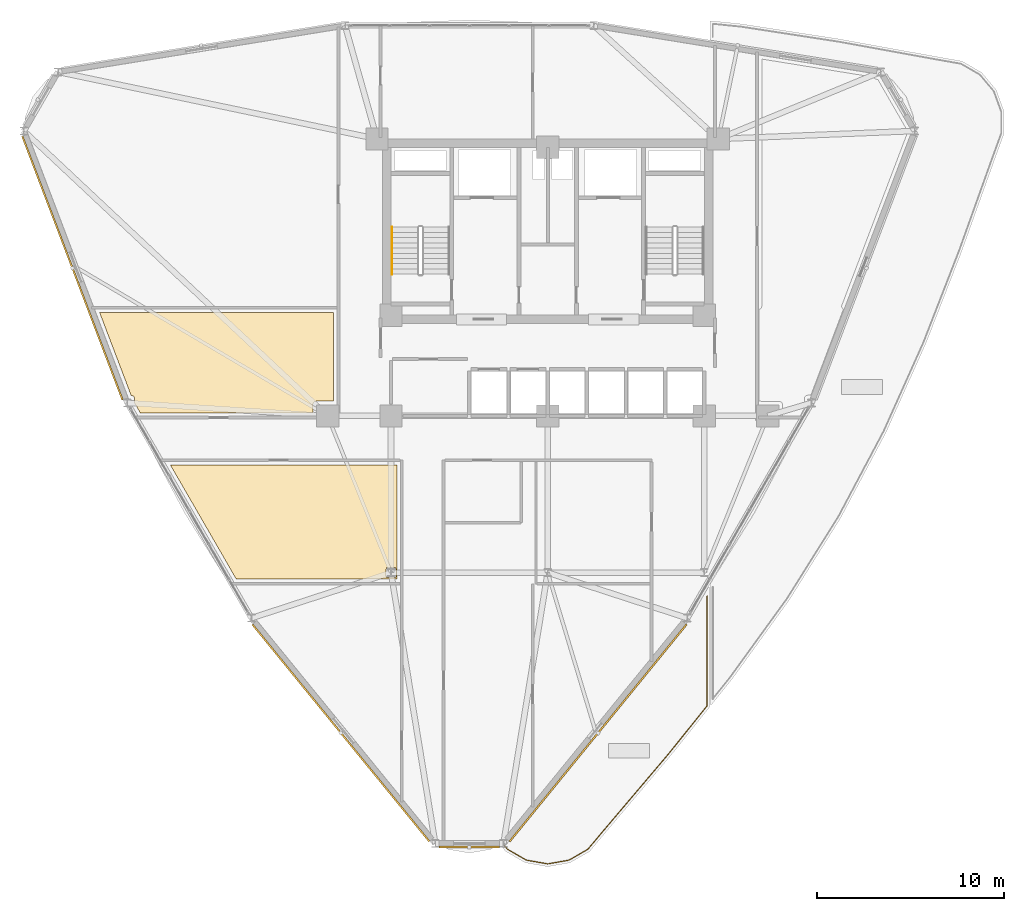
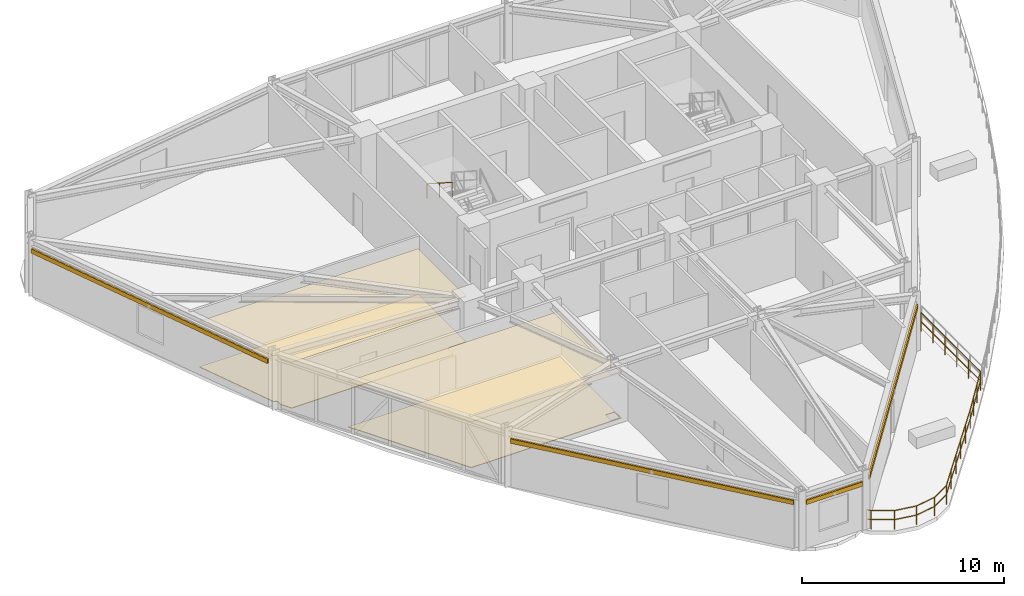
# One storey, part 15 of 18: 4 coverings, 4 shading devices, 2 railings.
"""IFC4 building model written with IfcOpenShell, lengths in metres."""

import ifcopenshell
import ifcopenshell.guid

model = None  # the IFC model being written
_history = None  # IfcOwnerHistory: only IFC2X3 demands one
_inside = {}  # id of a spatial element -> (the spatial element, [elements in it])
_under = {}  # id of a project, library or spatial element -> (it, [spatial elements below it])
_declared = {}  # id of a project -> (the project, [libraries it declares])
_typed = {}  # id of a type object -> (the type object, [elements of that type])
_made_of = {}  # id of a material, layer set ... -> (it, [elements and type objects made of it])


def new_model(schema):
    """Start an empty IFC model of exactly this schema.

    Asked for "IFC4X3", IfcOpenShell would pick the latest addendum, in which some entities
    have other attributes; the version numbers below select the first issue.
    IFC2X3 requires an IfcOwnerHistory on every rooted entity: one is made here for all.
    """
    global model, _history
    if schema == "IFC4X3":
        model = ifcopenshell.file(schema_version=(4, 3, 0, 0))
    else:
        model = ifcopenshell.file(schema=schema)
    _inside.clear()
    _under.clear()
    _declared.clear()
    _typed.clear()
    _made_of.clear()
    _history = None
    if model.schema == "IFC2X3":
        org = make("IfcOrganization", Name="unknown")
        user = make(
            "IfcPersonAndOrganization",
            ThePerson=make("IfcPerson", FamilyName="unknown"),
            TheOrganization=org,
        )
        app = make(
            "IfcApplication",
            ApplicationDeveloper=org,
            Version="unknown",
            ApplicationFullName="unknown",
            ApplicationIdentifier="unknown",
        )
        _history = make(
            "IfcOwnerHistory",
            OwningUser=user,
            OwningApplication=app,
            ChangeAction="ADDED",
            CreationDate=0,
        )
    return model


def make(cls, **values):
    """One entity of the class cls with the attributes given. An attribute that is None is left unset."""
    return model.create_entity(
        cls, **{name: value for name, value in values.items() if value is not None}
    )


def rooted(cls, **values):
    """An entity with a GlobalId (a new one), such as an element, a storey or a relation."""
    return make(cls, GlobalId=ifcopenshell.guid.new(), OwnerHistory=_history, **values)


def si_unit(unit_type, name, prefix=None):
    """IfcSIUnit, for example si_unit("LENGTHUNIT", "METRE", prefix="MILLI")."""
    return make("IfcSIUnit", UnitType=unit_type, Prefix=prefix, Name=name)


def derived_unit(unit_type, elements):
    """IfcDerivedUnit: a product of units, each with its exponent."""
    return make(
        "IfcDerivedUnit",
        Elements=[
            make("IfcDerivedUnitElement", Unit=unit, Exponent=power)
            for unit, power in elements
        ],
        UnitType=unit_type,
    )


def assignment(units):
    """IfcUnitAssignment: the units of a project."""
    return None if units is None else make("IfcUnitAssignment", Units=units)


def point(xyz):
    """IfcCartesianPoint."""
    return None if xyz is None else make("IfcCartesianPoint", Coordinates=xyz)


def direction(xyz):
    """IfcDirection."""
    return None if xyz is None else make("IfcDirection", DirectionRatios=xyz)


def frame(location, z_axis=None, x_axis=None):
    """IfcAxis2Placement3D, a coordinate frame: its origin and axes. An axis left out is left unset."""
    return make(
        "IfcAxis2Placement3D",
        Location=point(location),
        Axis=direction(z_axis),
        RefDirection=direction(x_axis),
    )


def frame_2d(location, x_axis=None):
    """IfcAxis2Placement2D, a coordinate frame in the plane: its origin and x axis."""
    return make(
        "IfcAxis2Placement2D", Location=point(location), RefDirection=direction(x_axis)
    )


def origin():
    """The frame at (0, 0, 0) with its axes left unset."""
    return frame((0.0, 0.0, 0.0))


def origin_2d():
    """The frame at (0, 0) in the plane with its x axis left unset."""
    return frame_2d((0.0, 0.0))


def place(relative_to, where):
    """IfcLocalPlacement: puts the frame where relative to a parent placement (None: the world)."""
    return make(
        "IfcLocalPlacement", PlacementRelTo=relative_to, RelativePlacement=where
    )


def context(
    kind, dimensions, precision=None, world=None, true_north=None, identifier=None
):
    """IfcGeometricRepresentationContext, for example the 3D "Model" context."""
    return make(
        "IfcGeometricRepresentationContext",
        ContextIdentifier=identifier,
        ContextType=kind,
        CoordinateSpaceDimension=dimensions,
        Precision=precision,
        WorldCoordinateSystem=world,
        TrueNorth=true_north,
    )


def subcontext(parent, identifier, kind, view, scale=None):
    """IfcGeometricRepresentationSubContext, for example "Body" below "Model"."""
    return make(
        "IfcGeometricRepresentationSubContext",
        ContextIdentifier=identifier,
        ContextType=kind,
        ParentContext=parent,
        TargetScale=scale,
        TargetView=view,
    )


def project(units=None, contexts=None):
    """IfcProject with its units and contexts."""
    return rooted(
        "IfcProject",
        Name="project",
        RepresentationContexts=contexts,
        UnitsInContext=assignment(units),
    )


def spatial(cls, under=None, at=None, **own):
    """A site, building, storey or space (cls), placed at a placement, below another one or the project."""
    s = rooted(cls, ObjectPlacement=at, **own)
    if under is not None:
        _under.setdefault(under.id(), (under, []))[1].append(s)
    return s


def polyline(points):
    """IfcPolyline through the points."""
    return make("IfcPolyline", Points=[point(p) for p in points])


def profile(cls, at=None, kind="AREA", **sizes):
    """A parametric profile (cls). Its sizes go by their IFC names, for example OverallWidth=200.0."""
    return make(cls, ProfileType=kind, Position=at, **sizes)


def hollow_rectangle(**sizes):
    """IfcRectangleHollowProfileDef."""
    return profile("IfcRectangleHollowProfileDef", **sizes)


def circle(**sizes):
    """IfcCircleProfileDef."""
    return profile("IfcCircleProfileDef", **sizes)


def outline(outer, holes=None, kind="AREA"):
    """IfcArbitraryClosedProfileDef: a profile drawn as a closed curve; with holes, ...WithVoids."""
    if holes is None:
        return make("IfcArbitraryClosedProfileDef", ProfileType=kind, OuterCurve=outer)
    return make(
        "IfcArbitraryProfileDefWithVoids",
        ProfileType=kind,
        OuterCurve=outer,
        InnerCurves=holes,
    )


def extrude(swept, where, along, depth):
    """IfcExtrudedAreaSolid: the profile swept, set in the frame where, extruded along a direction by depth."""
    return make(
        "IfcExtrudedAreaSolid",
        SweptArea=swept,
        Position=where,
        ExtrudedDirection=direction(along),
        Depth=depth,
    )


def shape(context_of_items, identifier, shape_type, items):
    """IfcShapeRepresentation: the items that make up one representation, for example the "Body"."""
    return make(
        "IfcShapeRepresentation",
        ContextOfItems=context_of_items,
        RepresentationIdentifier=identifier,
        RepresentationType=shape_type,
        Items=items,
    )


def source(mapping_origin, context_of_items, identifier, shape_type, items):
    """IfcRepresentationMap: a shape defined once, which mapped items show again and again."""
    return make(
        "IfcRepresentationMap",
        MappingOrigin=mapping_origin,
        MappedRepresentation=shape(context_of_items, identifier, shape_type, items),
    )


def transform(
    local_origin,
    x_axis=None,
    y_axis=None,
    z_axis=None,
    scale=None,
    scale2=None,
    scale3=None,
    uniform=True,
):
    """IfcCartesianTransformationOperator3D, or its non-uniform kind. x_axis, y_axis, z_axis: its Axis1, 2, 3."""
    if uniform:
        return make(
            "IfcCartesianTransformationOperator3D",
            Axis1=direction(x_axis),
            Axis2=direction(y_axis),
            LocalOrigin=point(local_origin),
            Scale=scale,
            Axis3=direction(z_axis),
        )
    return make(
        "IfcCartesianTransformationOperator3DnonUniform",
        Axis1=direction(x_axis),
        Axis2=direction(y_axis),
        LocalOrigin=point(local_origin),
        Scale=scale,
        Axis3=direction(z_axis),
        Scale2=scale2,
        Scale3=scale3,
    )


def mapped(mapping_source, mapping_target):
    """IfcMappedItem: shows the shape of a source again, moved by a transform."""
    return make(
        "IfcMappedItem", MappingSource=mapping_source, MappingTarget=mapping_target
    )


def material(Name=None, Category=None):
    """IfcMaterial."""
    return make("IfcMaterial", Name=Name, Category=Category)


def layer(
    of_material, thickness, ventilated=None, Name=None, Category=None, Priority=None
):
    """IfcMaterialLayer: one layer of a wall or slab, of a material (None: an air gap)."""
    return make(
        "IfcMaterialLayer",
        Material=of_material,
        LayerThickness=thickness,
        IsVentilated=ventilated,
        Name=Name,
        Category=Category,
        Priority=Priority,
    )


def layer_set(layers, Name=None):
    """IfcMaterialLayerSet."""
    return make("IfcMaterialLayerSet", MaterialLayers=layers, LayerSetName=Name)


def material_profile(
    of_material, cross_section, Name=None, Category=None, Priority=None
):
    """IfcMaterialProfile: a cross section and its material."""
    return make(
        "IfcMaterialProfile",
        Name=Name,
        Material=of_material,
        Profile=cross_section,
        Priority=Priority,
        Category=Category,
    )


def profile_set(profiles, Name=None, composite=None):
    """IfcMaterialProfileSet."""
    return make(
        "IfcMaterialProfileSet",
        Name=Name,
        MaterialProfiles=profiles,
        CompositeProfile=composite,
    )


def made_of(thing, what):
    """Note that an element or type object is made of a material, layer set ...; save() writes the relation."""
    if what is not None:
        _made_of.setdefault(what.id(), (what, []))[1].append(thing)
    return thing


def type_object(cls, material=None, **own):
    """A type object (cls), such as IfcWallType, which elements share."""
    return made_of(rooted(cls, **own), material)


def element(
    cls,
    number,
    at=None,
    inside=None,
    cuts=None,
    type_object=None,
    material=None,
    context=None,
    identifier="Body",
    shape_type=None,
    held_by="IfcProductDefinitionShape",
    body=None,
    shapes=None,
    **own,
):
    """One element of the class cls, such as IfcWall. Its Tag is "e" and its number.

    at: its placement. inside: the storey or other place that contains it. cuts: it is an
    opening in that element (IfcRelVoidsElement). A single representation is given by context,
    identifier, shape_type and body (its items); several are given by shapes. held_by: the class
    of the entity that holds the representations. save() writes the other relations.
    """
    e = rooted(cls, Tag="e%d" % number, ObjectPlacement=at, **own)
    if body is not None:
        shapes = [shape(context, identifier, shape_type, body)]
    if shapes is not None:
        e.Representation = make(held_by, Representations=shapes)
    if inside is not None:
        _inside.setdefault(inside.id(), (inside, []))[1].append(e)
    if cuts is not None:
        rooted(
            "IfcRelVoidsElement", RelatingBuildingElement=cuts, RelatedOpeningElement=e
        )
    if type_object is not None:
        _typed.setdefault(type_object.id(), (type_object, []))[1].append(e)
    return made_of(e, material)


def aggregate(whole, parts):
    """IfcRelAggregates: a whole, such as a stair, and the parts it consists of."""
    return rooted("IfcRelAggregates", RelatingObject=whole, RelatedObjects=parts)


def save(model, path):
    """Write the relations noted so far, then the file.

    IfcRelAggregates (storeys below a building ...), IfcRelContainedInSpatialStructure (elements
    in a storey), IfcRelDefinesByType, IfcRelAssociatesMaterial and IfcRelDeclares: one each for
    every whole, place, type object, material and project.
    """
    for whole, parts in _under.values():
        aggregate(whole, parts)
    for where, things in _inside.values():
        rooted(
            "IfcRelContainedInSpatialStructure",
            RelatedElements=things,
            RelatingStructure=where,
        )
    for kind, things in _typed.values():
        rooted("IfcRelDefinesByType", RelatedObjects=things, RelatingType=kind)
    for what, things in _made_of.values():
        rooted("IfcRelAssociatesMaterial", RelatedObjects=things, RelatingMaterial=what)
    for by, libraries in _declared.values():
        rooted("IfcRelDeclares", RelatingContext=by, RelatedDefinitions=libraries)
    model.write(path)


model = new_model("IFC4")

# Units and contexts
model_context = context("Model", 3, precision=1e-05, world=origin(), true_north=direction((0.0, 1.0)))
body_context = subcontext(model_context, "Body", "Model", "MODEL_VIEW")
ifc_project = project(units=[si_unit("LENGTHUNIT", "METRE"), si_unit("AREAUNIT", "SQUARE_METRE"), si_unit("VOLUMEUNIT", "CUBIC_METRE"), si_unit("PLANEANGLEUNIT", "RADIAN"), si_unit("MASSUNIT", "GRAM", prefix="KILO"), derived_unit("THERMALTRANSMITTANCEUNIT", [(si_unit("POWERUNIT", "WATT"), 1), (si_unit("LENGTHUNIT", "METRE"), -2), (si_unit("THERMODYNAMICTEMPERATUREUNIT", "KELVIN"), -1)])], contexts=[model_context])

# Site, building, storey
site_placement = place(None, origin())
site = spatial("IfcSite", under=ifc_project, at=site_placement, CompositionType="ELEMENT")
building_placement = place(site_placement, origin())
building = spatial("IfcBuilding", under=site, at=building_placement, Name="Korsvarv Bourse and Concert Hall", CompositionType="ELEMENT")
storey_placement = place(building_placement, frame((0.0, 0.0, 136.199951171875)))
storey = spatial("IfcBuildingStorey", under=building, at=storey_placement, Name="L34", CompositionType="ELEMENT", Elevation=136.199951171875)

# Coverings
ifc_material_1 = material(Name="Perforated mineral-wool and birch acoustic baffle ceiling", Category="wood")
ifc_layer_1 = layer(ifc_material_1, 0.02490234375)
ifc_layer_set_1 = layer_set([ifc_layer_1], Name="Perforated mineral-wool and birch acoustic baffle ceiling")
covering_type_1 = type_object("IfcCoveringType", Name="COV-CEIL-1", PredefinedType="CEILING", material=ifc_layer_set_1)
covering_1_placement = place(storey_placement, frame((0.0, 0.0, 2.780029296875)))
element("IfcCovering", 1, at=covering_1_placement, inside=storey, type_object=covering_type_1, Name="L34 acoustic baffle ceiling 2", PredefinedType="CEILING", context=body_context, shape_type="SweptSolid", body=[
    extrude(outline(polyline([(19.3037109375, 23.64990234375), (15.7705078125, 29.77001953125), (27.919921875, 29.77001953125), (27.919921875, 23.64990234375), (19.3037109375, 23.64990234375)]), holes=[polyline([(27.38427734375, 23.7333984375), (27.805908203125, 23.732421875), (27.82958984375, 23.73828125), (27.84765625, 23.754638671875), (27.855712890625, 23.777587890625), (27.85595703125, 24.217529296875), (27.85009765625, 24.2412109375), (27.833740234375, 24.259033203125), (27.810791015625, 24.267333984375), (27.39404296875, 24.267578125), (27.370361328125, 24.26171875), (27.352294921875, 24.245361328125), (27.34423828125, 24.222412109375), (27.343994140625, 23.782470703125), (27.349853515625, 23.7587890625), (27.38427734375, 23.7333984375)])]), origin(), (0.0, 0.0, 1.0), 0.02490234375),
])
covering_2_placement = place(storey_placement, frame((0.0, 0.0, 2.780029296875)))
element("IfcCovering", 2, at=covering_2_placement, inside=storey, type_object=covering_type_1, Name="L34 acoustic baffle ceiling 3", PredefinedType="CEILING", context=body_context, shape_type="SweptSolid", body=[
    extrude(outline(polyline([(13.849853515625, 33.0966796875), (13.849853515625, 33.320068359375), (13.84619140625, 33.355712890625), (13.835693359375, 33.389892578125), (13.818603515625, 33.42138671875), (13.795654296875, 33.44873046875), (13.767578125, 33.47119140625), (13.73583984375, 33.487548828125), (13.701416015625, 33.497314453125), (13.666259765625, 33.500732421875), (11.97509765625, 37.949951171875), (24.52001953125, 37.949951171875), (24.52001953125, 33.18994140625), (23.60009765625, 33.18994140625), (23.565185546875, 33.1865234375), (23.53173828125, 33.176513671875), (23.5009765625, 33.160400390625), (23.473876953125, 33.13818359375), (23.451416015625, 33.111572265625), (23.4345703125, 33.080810546875), (23.424072265625, 33.047607421875), (23.419921875, 33.012939453125), (23.412841796875, 32.570068359375), (14.154052734375, 32.570068359375), (13.849853515625, 33.0966796875)])), origin(), (0.0, 0.0, 1.0), 0.02490234375),
])
ifc_material_2 = material(Name="Calcium-sulphate raised access trading floor with Nordic oak top", Category="wood")
ifc_layer_2 = layer(ifc_material_2, 0.0400390625)
ifc_layer_set_2 = layer_set([ifc_layer_2], Name="Calcium-sulphate raised access trading floor with Nordic oak top")
covering_type_2 = type_object("IfcCoveringType", Name="COV-FLOR-1", PredefinedType="FLOORING", material=ifc_layer_set_2)
covering_3_placement = place(storey_placement, origin())
element("IfcCovering", 3, at=covering_3_placement, inside=storey, type_object=covering_type_2, Name="L34 raised access oak floor finish 2", PredefinedType="FLOORING", context=body_context, shape_type="SweptSolid", body=[
    extrude(outline(polyline([(19.3037109375, 23.64990234375), (15.7705078125, 29.77001953125), (27.919921875, 29.77001953125), (27.919921875, 23.64990234375), (19.3037109375, 23.64990234375)]), holes=[polyline([(27.38427734375, 23.7333984375), (27.805908203125, 23.732421875), (27.82958984375, 23.73828125), (27.84765625, 23.754638671875), (27.855712890625, 23.777587890625), (27.85595703125, 24.217529296875), (27.85009765625, 24.2412109375), (27.833740234375, 24.259033203125), (27.810791015625, 24.267333984375), (27.39404296875, 24.267578125), (27.370361328125, 24.26171875), (27.352294921875, 24.245361328125), (27.34423828125, 24.222412109375), (27.343994140625, 23.782470703125), (27.349853515625, 23.7587890625), (27.38427734375, 23.7333984375)])]), origin(), (0.0, 0.0, 1.0), 0.0400390625),
])
covering_4_placement = place(storey_placement, origin())
element("IfcCovering", 4, at=covering_4_placement, inside=storey, type_object=covering_type_2, Name="L34 raised access oak floor finish 3", PredefinedType="FLOORING", context=body_context, shape_type="SweptSolid", body=[
    extrude(outline(polyline([(13.849853515625, 33.0966796875), (13.849853515625, 33.320068359375), (13.84619140625, 33.355712890625), (13.835693359375, 33.389892578125), (13.818603515625, 33.42138671875), (13.795654296875, 33.44873046875), (13.767578125, 33.47119140625), (13.73583984375, 33.487548828125), (13.701416015625, 33.497314453125), (13.666259765625, 33.500732421875), (11.97509765625, 37.949951171875), (24.52001953125, 37.949951171875), (24.52001953125, 33.18994140625), (23.60009765625, 33.18994140625), (23.565185546875, 33.1865234375), (23.53173828125, 33.176513671875), (23.5009765625, 33.160400390625), (23.473876953125, 33.13818359375), (23.451416015625, 33.111572265625), (23.4345703125, 33.080810546875), (23.424072265625, 33.047607421875), (23.419921875, 33.012939453125), (23.412841796875, 32.570068359375), (14.154052734375, 32.570068359375), (13.849853515625, 33.0966796875)])), origin(), (0.0, 0.0, 1.0), 0.0400390625),
])

# Railings
ifc_material_3 = material(Name="Laminated safety glass and stainless Steel S355 balustrade", Category="steel")
railing_type_1 = type_object("IfcRailingType", Name="RL-BAL-EXT", PredefinedType="BALUSTRADE", material=ifc_material_3)
railing_1_placement = place(storey_placement, frame((44.550048828125, 22.75439453125, 0.0)))
element("IfcRailing", 5, at=railing_1_placement, inside=storey, type_object=railing_type_1, Name="L34 terrace perimeter balustrade SKYG3-1", PredefinedType="BALUSTRADE", context=body_context, shape_type="SweptSolid", body=[
    extrude(circle(Radius=0.02392578125, at=origin_2d()), frame((0.0, 0.0, 1.1259765625), z_axis=(0.0, -1.0, 0.0), x_axis=(1.0, 0.0, 0.0)), (0.0, 0.0, 1.0), 5.893310546875),
    extrude(circle(Radius=0.02392578125, at=origin_2d()), frame((0.0, 0.0, 0.574951171875), z_axis=(0.0, -1.0, 0.0), x_axis=(1.0, 0.0, 0.0)), (0.0, 0.0, 1.0), 5.893310546875),
    extrude(circle(Radius=0.02392578125, at=origin_2d()), frame((0.0, -5.893310546875, 1.1259765625), z_axis=(-0.625910427879, -0.779894952076, 0.0), x_axis=(0.779894952076, -0.625910427879, 0.0)), (0.0, 0.0, 1.0), 3.32958984375),
    extrude(circle(Radius=0.02392578125, at=origin_2d()), frame((0.0, -5.893310546875, 0.574951171875), z_axis=(-0.625910427879, -0.779894952076, 0.0), x_axis=(0.779894952076, -0.625910427879, 0.0)), (0.0, 0.0, 1.0), 3.32958984375),
    extrude(circle(Radius=0.02392578125, at=origin_2d()), frame((-2.083984375, -8.489990234375, 1.1259765625), z_axis=(-0.646664967922, -0.762774160065, 0.0), x_axis=(0.762774160065, -0.646664967922, 0.0)), (0.0, 0.0, 1.0), 5.328125),
    extrude(circle(Radius=0.02392578125, at=origin_2d()), frame((-2.083984375, -8.489990234375, 0.574951171875), z_axis=(-0.646664967922, -0.762774160065, 0.0), x_axis=(0.762774160065, -0.646664967922, 0.0)), (0.0, 0.0, 1.0), 5.328125),
    extrude(circle(Radius=0.02392578125, at=origin_2d()), frame((-5.529541015625, -12.55419921875, 1.1259765625), z_axis=(-0.642763114445, -0.766064996399, 0.0), x_axis=(0.766064996399, -0.642763114445, 0.0)), (0.0, 0.0, 1.0), 1.348388671875),
    extrude(circle(Radius=0.02392578125, at=origin_2d()), frame((-5.529541015625, -12.55419921875, 0.574951171875), z_axis=(-0.642763114445, -0.766064996399, 0.0), x_axis=(0.766064996399, -0.642763114445, 0.0)), (0.0, 0.0, 1.0), 1.348388671875),
    extrude(circle(Radius=0.02392578125, at=origin_2d()), frame((-6.396240234375, -13.587158203125, 1.1259765625), z_axis=(-0.866052829878, -0.499952493604, 0.0), x_axis=(0.499952493604, -0.866052829878, 0.0)), (0.0, 0.0, 1.0), 1.16357421875),
    extrude(circle(Radius=0.02392578125, at=origin_2d()), frame((-6.396240234375, -13.587158203125, 0.574951171875), z_axis=(-0.866052829878, -0.499952493604, 0.0), x_axis=(0.499952493604, -0.866052829878, 0.0)), (0.0, 0.0, 1.0), 1.16357421875),
    extrude(circle(Radius=0.02392578125, at=origin_2d()), frame((-7.404052734375, -14.1689453125, 1.1259765625), z_axis=(-0.984796228619, -0.173713523071, 0.0), x_axis=(0.173713523071, -0.984796228619, 0.0)), (0.0, 0.0, 1.0), 1.16357421875),
    extrude(circle(Radius=0.02392578125, at=origin_2d()), frame((-7.404052734375, -14.1689453125, 0.574951171875), z_axis=(-0.984796228619, -0.173713523071, 0.0), x_axis=(0.173713523071, -0.984796228619, 0.0)), (0.0, 0.0, 1.0), 1.16357421875),
    extrude(circle(Radius=0.02392578125, at=origin_2d()), frame((-8.550048828125, -14.37109375, 1.1259765625), z_axis=(-0.984796228619, 0.173713523071, 0.0), x_axis=(-0.173713523071, -0.984796228619, 0.0)), (0.0, 0.0, 1.0), 1.16357421875),
    extrude(circle(Radius=0.02392578125, at=origin_2d()), frame((-8.550048828125, -14.37109375, 0.574951171875), z_axis=(-0.984796228619, 0.173713523071, 0.0), x_axis=(-0.173713523071, -0.984796228619, 0.0)), (0.0, 0.0, 1.0), 1.16357421875),
    extrude(circle(Radius=0.02392578125, at=origin_2d()), frame((-9.696044921875, -14.1689453125, 1.1259765625), z_axis=(-0.866052829878, 0.499952493604, 0.0), x_axis=(-0.499952493604, -0.866052829878, 0.0)), (0.0, 0.0, 1.0), 1.16357421875),
    extrude(circle(Radius=0.02392578125, at=origin_2d()), frame((-9.696044921875, -14.1689453125, 0.574951171875), z_axis=(-0.866052829878, 0.499952493604, 0.0), x_axis=(-0.499952493604, -0.866052829878, 0.0)), (0.0, 0.0, 1.0), 1.16357421875),
    extrude(circle(Radius=0.02392578125, at=origin_2d()), frame((-10.703857421875, -13.587158203125, 1.1259765625), z_axis=(-0.643167519861, 0.76572550003, 0.0), x_axis=(-0.76572550003, -0.643167519861, 0.0)), (0.0, 0.0, 1.0), 0.233154296875),
    extrude(circle(Radius=0.02392578125, at=origin_2d()), frame((-10.703857421875, -13.587158203125, 0.574951171875), z_axis=(-0.643167519861, 0.76572550003, 0.0), x_axis=(-0.76572550003, -0.643167519861, 0.0)), (0.0, 0.0, 1.0), 0.233154296875),
    extrude(circle(Radius=0.02099609375, at=origin_2d()), origin(), (0.0, 0.0, 1.0), 1.101806640625),
    extrude(circle(Radius=0.02099609375, at=origin_2d()), frame((0.0, -1.1787109375, 0.0)), (0.0, 0.0, 1.0), 1.101806640625),
    extrude(circle(Radius=0.02099609375, at=origin_2d()), frame((0.0, -2.357421875, 0.0)), (0.0, 0.0, 1.0), 1.101806640625),
    extrude(circle(Radius=0.02099609375, at=origin_2d()), frame((0.0, -3.535888671875, 0.0)), (0.0, 0.0, 1.0), 1.101806640625),
    extrude(circle(Radius=0.02099609375, at=origin_2d()), frame((0.0, -4.714599609375, 0.0)), (0.0, 0.0, 1.0), 1.101806640625),
    extrude(circle(Radius=0.02099609375, at=origin_2d()), frame((0.0, -5.893310546875, 0.0)), (0.0, 0.0, 1.0), 1.101806640625),
    extrude(circle(Radius=0.02099609375, at=origin_2d()), frame((-0.694580078125, -6.7587890625, 0.0)), (0.0, 0.0, 1.0), 1.101806640625),
    extrude(circle(Radius=0.02099609375, at=origin_2d()), frame((-1.389404296875, -7.62451171875, 0.0)), (0.0, 0.0, 1.0), 1.101806640625),
    extrude(circle(Radius=0.02099609375, at=origin_2d()), frame((-2.083984375, -8.489990234375, 0.0)), (0.0, 0.0, 1.0), 1.101806640625),
    extrude(circle(Radius=0.02099609375, at=origin_2d()), frame((-2.9453125, -9.506103515625, 0.0)), (0.0, 0.0, 1.0), 1.101806640625),
    extrude(circle(Radius=0.02099609375, at=origin_2d()), frame((-3.806640625, -10.52197265625, 0.0)), (0.0, 0.0, 1.0), 1.101806640625),
    extrude(circle(Radius=0.02099609375, at=origin_2d()), frame((-4.668212890625, -11.5380859375, 0.0)), (0.0, 0.0, 1.0), 1.101806640625),
    extrude(circle(Radius=0.02099609375, at=origin_2d()), frame((-5.529541015625, -12.55419921875, 0.0)), (0.0, 0.0, 1.0), 1.101806640625),
    extrude(circle(Radius=0.02099609375, at=origin_2d()), frame((-6.396240234375, -13.587158203125, 0.0)), (0.0, 0.0, 1.0), 1.101806640625),
    extrude(circle(Radius=0.02099609375, at=origin_2d()), frame((-7.404052734375, -14.1689453125, 0.0)), (0.0, 0.0, 1.0), 1.101806640625),
    extrude(circle(Radius=0.02099609375, at=origin_2d()), frame((-8.550048828125, -14.37109375, 0.0)), (0.0, 0.0, 1.0), 1.101806640625),
    extrude(circle(Radius=0.02099609375, at=origin_2d()), frame((-9.696044921875, -14.1689453125, 0.0)), (0.0, 0.0, 1.0), 1.101806640625),
    extrude(circle(Radius=0.02099609375, at=origin_2d()), frame((-10.703857421875, -13.587158203125, 0.0)), (0.0, 0.0, 1.0), 1.101806640625),
    extrude(circle(Radius=0.02099609375, at=origin_2d()), frame((-10.853759765625, -13.40869140625, 0.0)), (0.0, 0.0, 1.0), 1.101806640625),
])
ifc_material_4 = material(Name="Brushed stainless Steel S355 tubular handrail", Category="steel")
railing_type_2 = type_object("IfcRailingType", Name="RL-ST-HND", PredefinedType="HANDRAIL", material=ifc_material_4)
railing_2_placement = place(storey_placement, frame((27.64990234375, 42.52001953125, 1.97998046875)))
element("IfcRailing", 6, at=railing_2_placement, inside=storey, type_object=railing_type_2, Name="L34 ST-T1 stair handrail 2", PredefinedType="HANDRAIL", context=body_context, shape_type="SweptSolid", body=[
    extrude(circle(Radius=0.02392578125, at=origin_2d()), frame((0.0, 0.0, 0.8759765625), z_axis=(0.0, -0.841162588446, 0.540782303519), x_axis=(1.0, 0.0, 0.0)), (0.0, 0.0, 1.0), 2.995849609375),
    extrude(circle(Radius=0.02099609375, at=origin_2d()), origin(), (0.0, 0.0, 1.0), 0.851806640625),
    extrude(circle(Radius=0.02099609375, at=origin_2d()), frame((0.0, -1.260009765625, 0.81005859375)), (0.0, 0.0, 1.0), 0.851806640625),
    extrude(circle(Radius=0.02099609375, at=origin_2d()), frame((0.0, -2.52001953125, 1.6201171875)), (0.0, 0.0, 1.0), 0.851806640625),
])

# Shading devices
ifc_material_5 = material(Name="Glazed extruded architectural terracotta", Category="ceramic")
ifc_material_profile = material_profile(ifc_material_5, hollow_rectangle(XDim=0.090087890625, YDim=0.260009765625, WallThickness=0.011962890625, at=origin_2d()), Name="TC-BAG 90x260")
ifc_profile_set = profile_set([ifc_material_profile], Name="Glazed extruded architectural terracotta")
shading_device_type = type_object("IfcShadingDeviceType", Name="SHD-BAG-1", PredefinedType="USERDEFINED", material=ifc_profile_set)
shared_shape_1 = source(origin(), body_context, "Body", "SweptSolid", [
    extrude(hollow_rectangle(XDim=0.090087890625, YDim=0.260009765625, WallThickness=0.011962890625, at=origin_2d()), origin(), (0.0, 0.0, 1.0), 15.116943359375),
])
shading_device_1_placement = place(storey_placement, frame((7.834716796875, 47.393310546875, 2.7900390625), z_axis=(0.355302150634, -0.934751508025, 0.0), x_axis=(0.934751508025, 0.355302150634, 0.0)))
element("IfcShadingDevice", 7, at=shading_device_1_placement, inside=storey, type_object=shading_device_type, Name="L34 terracotta baguette sunshade EW-L34-B06", ObjectType="BAGUETTE", PredefinedType="USERDEFINED", context=body_context, shape_type="MappedRepresentation", body=[
    mapped(shared_shape_1, transform((0.0, 0.0, 0.0), scale=1.0)),
])
shared_shape_2 = source(origin(), body_context, "Body", "SweptSolid", [
    extrude(hollow_rectangle(XDim=0.090087890625, YDim=0.260009765625, WallThickness=0.011962890625, at=origin_2d()), origin(), (0.0, 0.0, 1.0), 15.0185546875),
])
for number, where, z_axis, x_axis, name in (
    (8, (20.163330078125, 21.227294921875, 2.840087890625), (0.631882431987, -0.775064250334, 0.0), (0.775064250334, 0.631882431987, 0.0), "L34 terracotta baguette sunshade EW-L34-B08"),
    (9, (33.95458984375, 9.58056640625, 2.840087890625), (0.631864705244, 0.775078701982, 0.0), (-0.775078701982, 0.631864705244, 0.0), "L34 terracotta baguette sunshade EW-L34-B10"),
):
    element("IfcShadingDevice", number, at=place(storey_placement, frame(where, z_axis=z_axis, x_axis=x_axis)), inside=storey, type_object=shading_device_type, Name=name, ObjectType="BAGUETTE", PredefinedType="USERDEFINED", context=body_context, shape_type="MappedRepresentation", body=[
        mapped(shared_shape_2, transform((0.0, 0.0, 0.0), scale=1.0)),
    ])
shared_shape_3 = source(origin(), body_context, "Body", "SweptSolid", [
    extrude(hollow_rectangle(XDim=0.090087890625, YDim=0.260009765625, WallThickness=0.011962890625, at=origin_2d()), origin(), (0.0, 0.0, 1.0), 3.2373046875),
])
shading_device_2_placement = place(storey_placement, frame((30.181396484375, 9.2900390625, 2.840087890625), z_axis=(1.0, 0.0, 0.0), x_axis=(0.0, 1.0, 0.0)))
element("IfcShadingDevice", 10, at=shading_device_2_placement, inside=storey, type_object=shading_device_type, Name="L34 terracotta baguette sunshade EW-L34-B09", ObjectType="BAGUETTE", PredefinedType="USERDEFINED", context=body_context, shape_type="MappedRepresentation", body=[
    mapped(shared_shape_3, transform((0.0, 0.0, 0.0), scale=1.0)),
])

save(model, "model.ifc")
